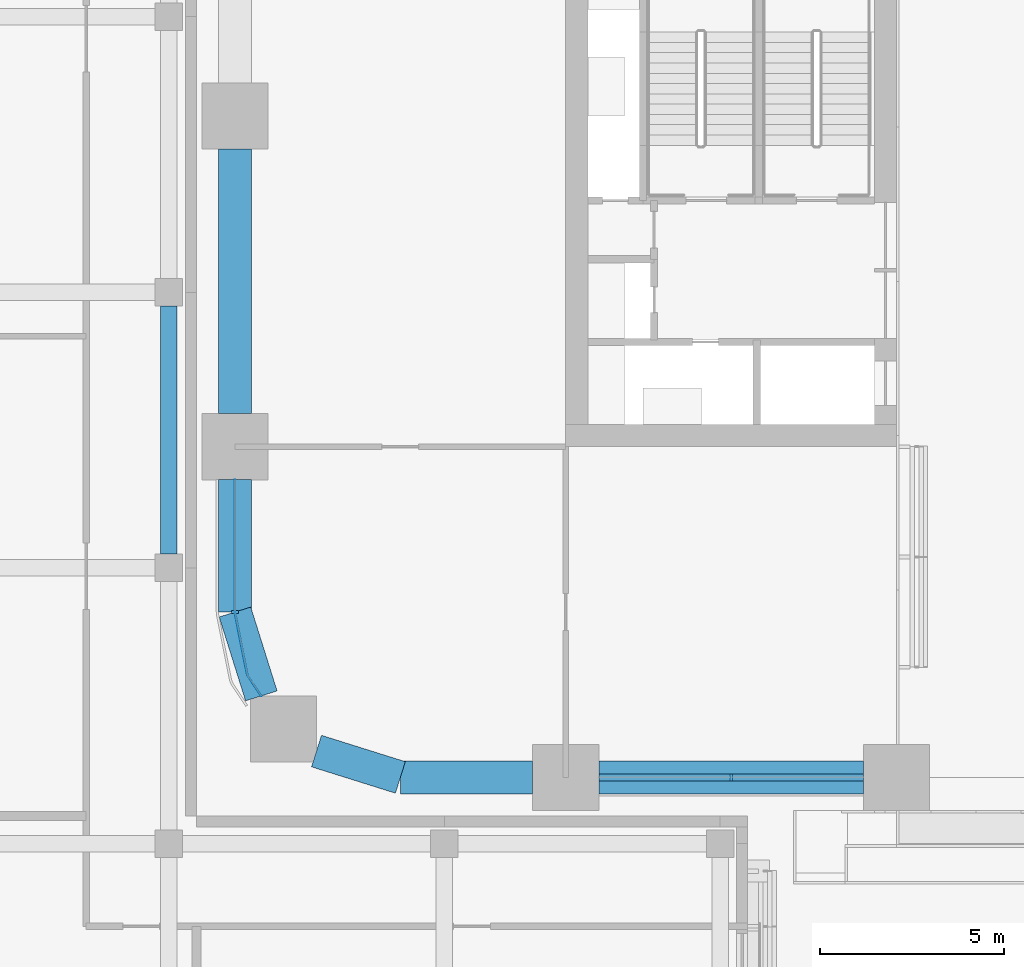
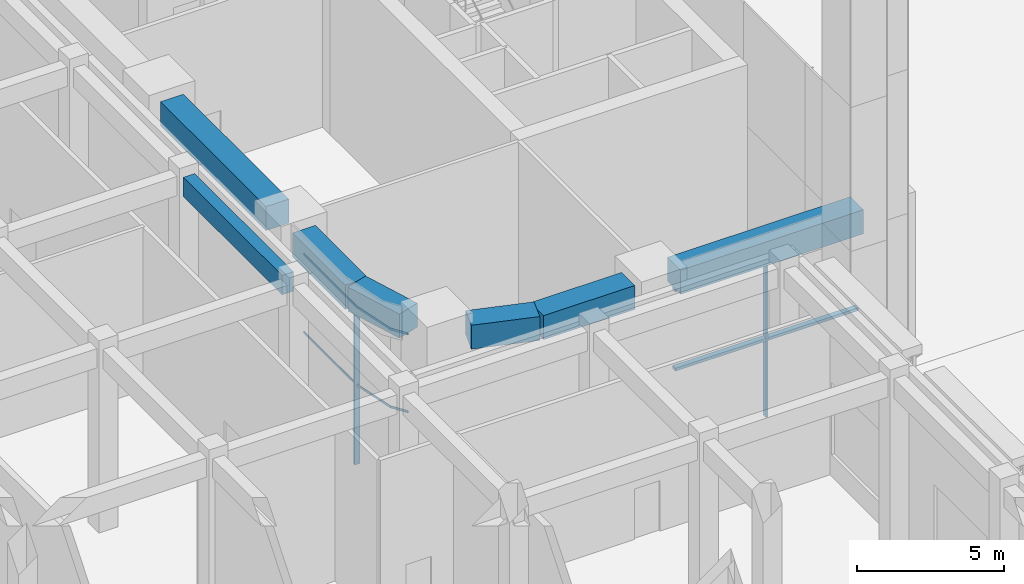
# One storey, part 11 of 64: 7 beams, 6 members, 2 elements without a shape of their own.
"""IFC4 building model written with IfcOpenShell, lengths in metres."""

from ifc_helpers import new_model, si_unit, direction, frame, origin, origin_2d, place, context, subcontext, project, spatial, polyline, rectangle, outline, extrude, material, material_profile, profile_set, type_object, element, aggregate, save


model = new_model("IFC4")

# Units and contexts
model_context = context("Model", 3, precision=1e-05, world=origin(), true_north=direction((0.0, 1.0)))
body_context = subcontext(model_context, "Body", "Model", "MODEL_VIEW")
ifc_project = project(units=[si_unit("LENGTHUNIT", "METRE"), si_unit("AREAUNIT", "SQUARE_METRE"), si_unit("VOLUMEUNIT", "CUBIC_METRE"), si_unit("PLANEANGLEUNIT", "RADIAN"), si_unit("MASSUNIT", "GRAM", prefix="KILO")], contexts=[model_context])

# Site, building, storey
site_placement = place(None, origin())
site = spatial("IfcSite", under=ifc_project, at=site_placement, CompositionType="ELEMENT")
building_placement = place(site_placement, origin())
building = spatial("IfcBuilding", under=site, at=building_placement, Name="Tessera Arch", CompositionType="ELEMENT")
storey_placement = place(building_placement, origin())
storey = spatial("IfcBuildingStorey", under=building, at=storey_placement, Name="L00", CompositionType="ELEMENT", Elevation=0.0)

# Curtain wall, members
ifc_material_1 = material(Name="CW2 curtain wall")
curtain_wall_type_1 = type_object("IfcCurtainWallType", Name="CW2 curtain wall", PredefinedType="NOTDEFINED", material=ifc_material_1)
curtain_wall_1_placement = place(storey_placement, origin())
curtain_wall_1 = element("IfcCurtainWall", 1, at=curtain_wall_1_placement, inside=storey, type_object=curtain_wall_type_1, Name="CW2 curtain wall W0.0/5 L00", PredefinedType="NOTDEFINED")
ifc_material_2 = material(Name="Anodised aluminium pale metal", Category="aluminium")
ifc_material_profile_1 = material_profile(ifc_material_2, rectangle(XDim=0.199951171875, YDim=0.080078125, at=origin_2d()), Name="AL 80x200")
ifc_profile_set_1 = profile_set([ifc_material_profile_1], Name="Anodised aluminium pale metal")
member_type_1 = type_object("IfcMemberType", Name="CW2 mullion", PredefinedType="MULLION", material=ifc_profile_set_1)
member_1_placement = place(storey_placement, frame((0.0, 4.5, 0.0), z_axis=(0.0, 0.0, 1.0), x_axis=(1.0, 0.0, 0.0)))
member_1 = element("IfcMember", 2, at=member_1_placement, type_object=member_type_1, Name="CW2 mullion W0.0/5 1", PredefinedType="MULLION", context=body_context, shape_type="SweptSolid", body=[
    extrude(rectangle(XDim=0.199951171875, YDim=0.080078125, at=origin_2d()), origin(), (0.0, 0.0, 1.0), 6.489990234375),
])
ifc_material_3 = material(Name="Anodised aluminium pale metal", Category="aluminium")
ifc_material_profile_2 = material_profile(ifc_material_3, rectangle(XDim=0.199951171875, YDim=0.10009765625, at=origin_2d()), Name="AL 200x100")
ifc_profile_set_2 = profile_set([ifc_material_profile_2], Name="Anodised aluminium pale metal")
member_type_2 = type_object("IfcMemberType", Name="CW2 transom", PredefinedType="USERDEFINED", material=ifc_profile_set_2)
member_2_placement = place(storey_placement, frame((0.0, 0.0, 3.2451171875)))
member_2 = element("IfcMember", 3, at=member_2_placement, type_object=member_type_2, Name="CW2 transom W0.0/5 1", ObjectType="TRANSOM", PredefinedType="USERDEFINED", context=body_context, shape_type="SweptSolid", body=[
    extrude(outline(polyline([(0.010009765625, 4.5009765625), (0.010009765625, 8.10009765625), (-0.010009765625, 8.10009765625), (-0.010009765625, 4.4990234375), (0.3330078125, 2.77392578125), (0.70849609375, 2.21240234375), (0.72509765625, 2.2236328125), (0.351806640625, 2.78173828125), (0.010009765625, 4.5009765625)])), origin(), (0.0, 0.0, 1.0), 0.099853515625),
])
member_3_placement = place(storey_placement, frame((0.0, 0.0, 6.489990234375)))
member_3 = element("IfcMember", 4, at=member_3_placement, type_object=member_type_2, Name="CW2 transom W0.0/5 2", ObjectType="TRANSOM", PredefinedType="USERDEFINED", context=body_context, shape_type="SweptSolid", body=[
    extrude(outline(polyline([(0.010009765625, 4.5009765625), (0.010009765625, 8.10009765625), (-0.010009765625, 8.10009765625), (-0.010009765625, 4.4990234375), (0.3330078125, 2.77392578125), (0.70849609375, 2.21240234375), (0.72509765625, 2.2236328125), (0.351806640625, 2.78173828125), (0.010009765625, 4.5009765625)])), origin(), (0.0, 0.0, 1.0), 0.10009765625),
])
aggregate(curtain_wall_1, [member_1, member_2, member_3])

ifc_material_4 = material(Name="CW6 curtain wall")
curtain_wall_type_2 = type_object("IfcCurtainWallType", Name="CW6 curtain wall", PredefinedType="NOTDEFINED", material=ifc_material_4)
curtain_wall_2_placement = place(storey_placement, origin())
curtain_wall_2 = element("IfcCurtainWall", 5, at=curtain_wall_2_placement, inside=storey, type_object=curtain_wall_type_2, Name="CW6 curtain wall S0.0/1 L00", PredefinedType="NOTDEFINED")
ifc_material_5 = material(Name="Anodised aluminium pale metal", Category="aluminium")
ifc_material_profile_3 = material_profile(ifc_material_5, rectangle(XDim=0.199951171875, YDim=0.070068359375, at=origin_2d()), Name="AL 70x200")
ifc_profile_set_3 = profile_set([ifc_material_profile_3], Name="Anodised aluminium pale metal")
member_type_3 = type_object("IfcMemberType", Name="CW6 mullion", PredefinedType="MULLION", material=ifc_profile_set_3)
member_4_placement = place(storey_placement, frame((13.5, 0.0, 0.0), z_axis=(0.0, 0.0, 1.0), x_axis=(0.0, 1.0, 0.0)))
member_4 = element("IfcMember", 6, at=member_4_placement, type_object=member_type_3, Name="CW6 mullion S0.0/1 1", PredefinedType="MULLION", context=body_context, shape_type="SweptSolid", body=[
    extrude(rectangle(XDim=0.199951171875, YDim=0.070068359375, at=origin_2d()), origin(), (0.0, 0.0, 1.0), 6.469970703125),
])
ifc_material_6 = material(Name="Anodised aluminium pale metal", Category="aluminium")
ifc_material_profile_4 = material_profile(ifc_material_6, rectangle(XDim=0.199951171875, YDim=0.1201171875, at=origin_2d()), Name="AL 200x120")
ifc_profile_set_4 = profile_set([ifc_material_profile_4], Name="Anodised aluminium pale metal")
member_type_4 = type_object("IfcMemberType", Name="CW6 transom", PredefinedType="USERDEFINED", material=ifc_profile_set_4)
member_5_placement = place(storey_placement, frame((9.89990234375, 0.0, 6.530029296875), z_axis=(1.0, 0.0, 0.0), x_axis=(0.0, 1.0, 0.0)))
member_5 = element("IfcMember", 7, at=member_5_placement, type_object=member_type_4, Name="CW6 transom S0.0/1 1.1", ObjectType="TRANSOM", PredefinedType="USERDEFINED", context=body_context, shape_type="SweptSolid", body=[
    extrude(rectangle(XDim=0.199951171875, YDim=0.1201171875, at=origin_2d()), origin(), (0.0, 0.0, 1.0), 7.2001953125),
])
member_6_placement = place(storey_placement, frame((9.89990234375, 0.0, 3.235107421875), z_axis=(1.0, 0.0, 0.0), x_axis=(0.0, 1.0, 0.0)))
member_6 = element("IfcMember", 8, at=member_6_placement, type_object=member_type_4, Name="CW6 transom S0.0/1 2.1", ObjectType="TRANSOM", PredefinedType="USERDEFINED", context=body_context, shape_type="SweptSolid", body=[
    extrude(rectangle(XDim=0.199951171875, YDim=0.1201171875, at=origin_2d()), origin(), (0.0, 0.0, 1.0), 7.2001953125),
])
aggregate(curtain_wall_2, [member_4, member_5, member_6])

# Beams
ifc_material_7 = material(Name="Concrete C40/50", Category="concrete")
ifc_material_profile_5 = material_profile(ifc_material_7, rectangle(XDim=0.449951171875, YDim=0.800048828125, at=origin_2d()), Name="Museum beam 450 x 800 Concrete C40/50")
ifc_profile_set_5 = profile_set([ifc_material_profile_5], Name="Concrete C40/50")
beam_type_1 = type_object("IfcBeamType", Name="Museum beam 450 x 800 Concrete C40/50", PredefinedType="BEAM", material=ifc_profile_set_5)
beam_1_placement = place(storey_placement, frame((-1.800048828125, 6.074951171875, 7.18994140625), z_axis=(0.0, 1.0, 0.0), x_axis=(-1.0, 0.0, 0.0)))
element("IfcBeam", 9, at=beam_1_placement, inside=storey, type_object=beam_type_1, Name="Museum beam L00 39", PredefinedType="BEAM", context=body_context, shape_type="SweptSolid", body=[
    extrude(rectangle(XDim=0.449951171875, YDim=0.800048828125, at=origin_2d()), origin(), (0.0, 0.0, 1.0), 6.75),
])
ifc_material_8 = material(Name="Concrete C80/95", Category="concrete")
ifc_material_profile_6 = material_profile(ifc_material_8, rectangle(XDim=0.89990234375, YDim=1.0, at=origin_2d()), Name="RC spandrel beam 900 x 1000 Concrete C80/95")
ifc_profile_set_6 = profile_set([ifc_material_profile_6], Name="Concrete C80/95")
beam_type_2 = type_object("IfcBeamType", Name="RC spandrel beam 900 x 1000 Concrete C80/95", PredefinedType="BEAM", material=ifc_profile_set_6)
beam_2_placement = place(storey_placement, frame((0.0, 17.10009765625, 7.090087890625), z_axis=(0.0, -1.0, 0.0), x_axis=(1.0, 0.0, 0.0)))
element("IfcBeam", 10, at=beam_2_placement, inside=storey, type_object=beam_type_2, Name="Spandrel beam L00 W0.0/4", PredefinedType="BEAM", context=body_context, shape_type="SweptSolid", body=[
    extrude(rectangle(XDim=0.89990234375, YDim=1.0, at=origin_2d()), origin(), (0.0, 0.0, 1.0), 7.2001953125),
])
beam_3_placement = place(storey_placement, frame((0.0, 8.10009765625, 7.090087890625), z_axis=(0.0, -1.0, 0.0), x_axis=(1.0, 0.0, 0.0)))
element("IfcBeam", 11, at=beam_3_placement, inside=storey, type_object=beam_type_2, Name="Spandrel beam L00 W0.0/5.1", PredefinedType="BEAM", context=body_context, shape_type="SweptSolid", body=[
    extrude(rectangle(XDim=0.89990234375, YDim=1.0, at=origin_2d()), origin(), (0.0, 0.0, 1.0), 3.60009765625),
])
for number, where, z_axis, x_axis, name in (
    (12, (0.0, 4.5, 7.090087890625), (0.299675309057, -0.954041251279, 0.0), (0.954041251279, 0.299675309057, 0.0), "Spandrel beam L00 W0.0/5.2"),
    (13, (2.218017578125, 0.716796875, 7.090087890625), (0.954041251279, -0.299675309057, 0.0), (0.299675309057, 0.954041251279, 0.0), "Spandrel beam L00 S0.0/0.1"),
):
    element("IfcBeam", number, at=place(storey_placement, frame(where, z_axis=z_axis, x_axis=x_axis)), inside=storey, type_object=beam_type_2, Name=name, PredefinedType="BEAM", context=body_context, shape_type="SweptSolid", body=[
        extrude(rectangle(XDim=0.89990234375, YDim=1.0, at=origin_2d()), origin(), (0.0, 0.0, 1.0), 2.391845703125),
    ])
beam_4_placement = place(storey_placement, frame((4.5, 0.0, 7.090087890625), z_axis=(1.0, 0.0, 0.0), x_axis=(0.0, 1.0, 0.0)))
element("IfcBeam", 14, at=beam_4_placement, inside=storey, type_object=beam_type_2, Name="Spandrel beam L00 S0.0/0.2", PredefinedType="BEAM", context=body_context, shape_type="SweptSolid", body=[
    extrude(rectangle(XDim=0.89990234375, YDim=1.0, at=origin_2d()), origin(), (0.0, 0.0, 1.0), 3.60009765625),
])
beam_5_placement = place(storey_placement, frame((9.89990234375, 0.0, 7.090087890625), z_axis=(1.0, 0.0, 0.0), x_axis=(0.0, 1.0, 0.0)))
element("IfcBeam", 15, at=beam_5_placement, inside=storey, type_object=beam_type_2, Name="Spandrel beam L00 S0.0/1", PredefinedType="BEAM", context=body_context, shape_type="SweptSolid", body=[
    extrude(rectangle(XDim=0.89990234375, YDim=1.0, at=origin_2d()), origin(), (0.0, 0.0, 1.0), 7.2001953125),
])

save(model, "model.ifc")
